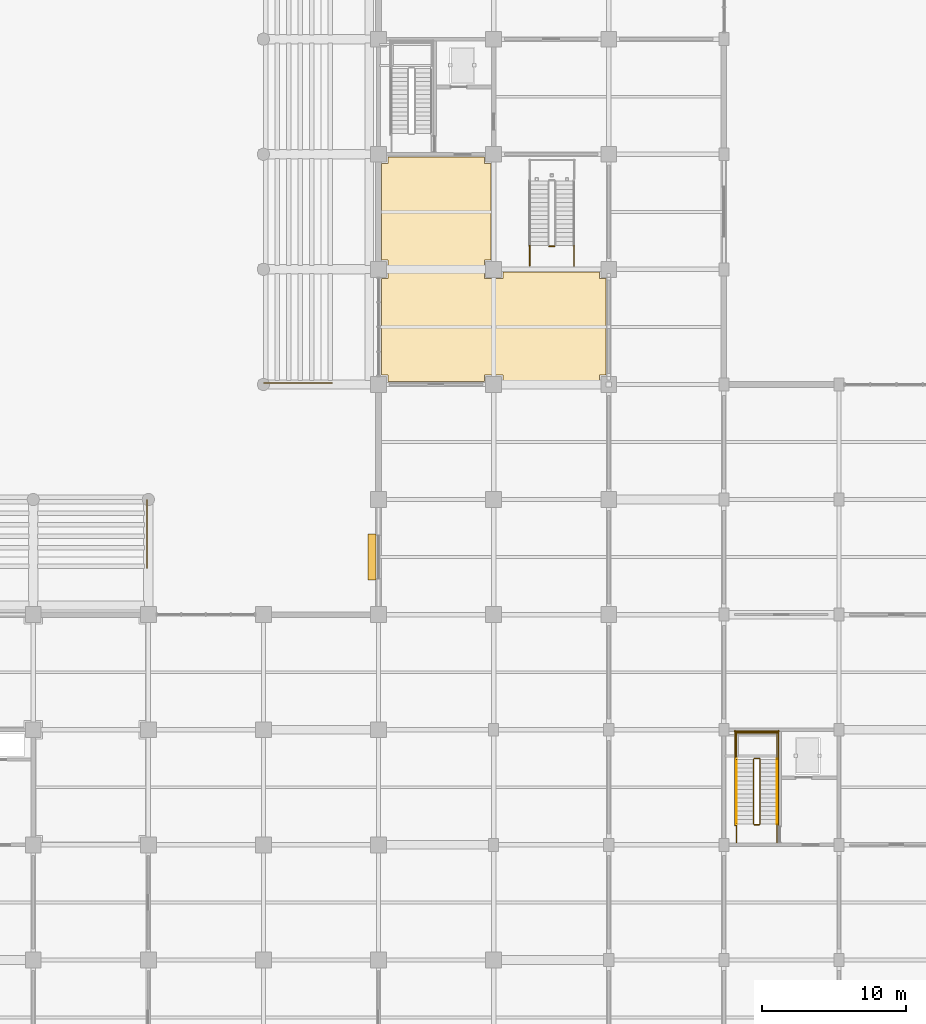
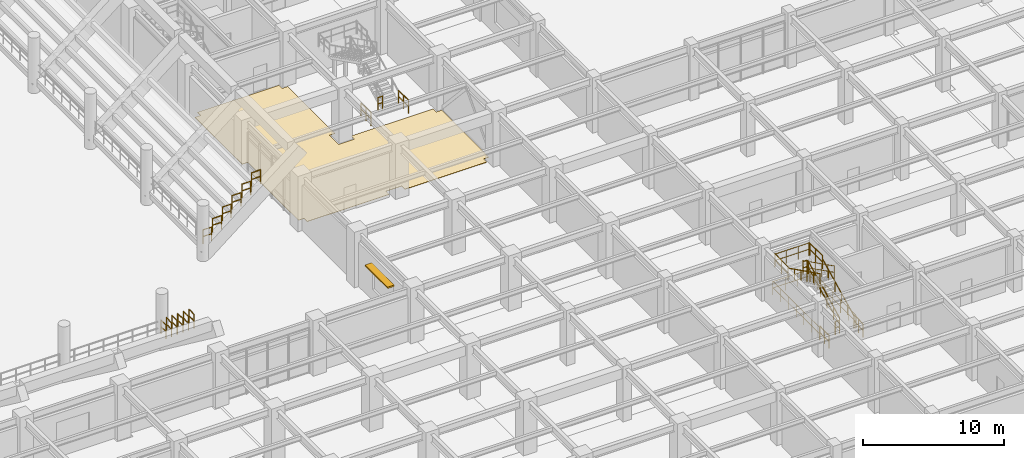
# One storey, part 112 of 125: 29 railings, 1 covering, 1 shading device.
"""IFC4 building model written with IfcOpenShell, lengths in metres."""

from ifc_helpers import new_model, si_unit, direction, frame, origin, origin_2d, place, context, subcontext, project, spatial, polyline, rectangle, circle, outline, extrude, material, layer, layer_set, type_object, element, save


model = new_model("IFC4")

# Units and contexts
model_context = context("Model", 3, precision=1e-05, world=origin(), true_north=direction((0.0, 1.0)))
body_context = subcontext(model_context, "Body", "Model", "MODEL_VIEW")
ifc_project = project(units=[si_unit("LENGTHUNIT", "METRE"), si_unit("AREAUNIT", "SQUARE_METRE"), si_unit("VOLUMEUNIT", "CUBIC_METRE"), si_unit("PLANEANGLEUNIT", "RADIAN"), si_unit("MASSUNIT", "GRAM", prefix="KILO")], contexts=[model_context])

# Site, building, storey
site_placement = place(None, origin())
site = spatial("IfcSite", under=ifc_project, at=site_placement, CompositionType="ELEMENT")
building_placement = place(site_placement, origin())
building = spatial("IfcBuilding", under=site, at=building_placement, Name="Haebicheon Civic Stadium", CompositionType="ELEMENT")
storey_placement = place(building_placement, origin())
storey = spatial("IfcBuildingStorey", under=building, at=storey_placement, Name="L01", CompositionType="ELEMENT", Elevation=0.0)

# Covering
ifc_material_1 = material(Name="Quartz epoxy resin mortar", Category="concrete")
ifc_layer_1 = layer(ifc_material_1, 0.030029296875, Name="Quartz epoxy resin mortar")
ifc_layer_set_1 = layer_set([ifc_layer_1], Name="Quartz epoxy resin mortar")
covering_type = type_object("IfcCoveringType", Name="COV-FLR-EPX", PredefinedType="FLOORING", material=ifc_layer_set_1)
covering_placement = place(storey_placement, origin())
element("IfcCovering", 1, at=covering_placement, inside=storey, type_object=covering_type, material=ifc_layer_set_1, Name="L01 Food and Beverage Kiosk non-slip floor finish", PredefinedType="FLOORING", context=body_context, shape_type="SweptSolid", body=[
    extrude(outline(polyline([(144.199951171875, 55.35009765625), (144.64990234375, 55.35009765625), (144.64990234375, 56.64990234375), (144.199951171875, 56.64990234375), (144.199951171875, 63.35009765625), (144.64990234375, 63.35009765625), (144.64990234375, 63.800048828125), (151.35009765625, 63.800048828125), (151.35009765625, 63.35009765625), (151.800048828125, 63.35009765625), (151.800048828125, 56.64990234375), (151.35009765625, 56.64990234375), (151.35009765625, 55.35009765625), (152.64990234375, 55.35009765625), (152.64990234375, 55.800048828125), (159.35009765625, 55.800048828125), (159.35009765625, 55.35009765625), (159.800048828125, 55.35009765625), (159.800048828125, 48.64990234375), (159.35009765625, 48.64990234375), (159.35009765625, 48.199951171875), (152.64990234375, 48.199951171875), (152.64990234375, 48.64990234375), (151.35009765625, 48.64990234375), (151.35009765625, 48.199951171875), (144.64990234375, 48.199951171875), (144.64990234375, 48.64990234375), (144.199951171875, 48.64990234375), (144.199951171875, 55.35009765625)])), origin(), (0.0, 0.0, 1.0), 0.030029296875),
])

# Railings
ifc_material_2 = material(Name="Stainless steel 316 and laminated glass", Category="steel")
railing_type_1 = type_object("IfcRailingType", Name="RL-BAL-1200", PredefinedType="BALUSTRADE", material=ifc_material_2)
for number, where, name in (
    (2, (136.0400390625, 48.10009765625, 1.199951171875), "TIER-E-L end-aisle side guard S.1"),
    (3, (136.840087890625, 48.10009765625, 1.910888671875), "TIER-E-L end-aisle side guard S.2"),
):
    element("IfcRailing", number, at=place(storey_placement, frame(where)), inside=storey, type_object=railing_type_1, material=ifc_material_2, Name=name, PredefinedType="BALUSTRADE", context=body_context, shape_type="SweptSolid", body=[
        extrude(circle(Radius=0.02392578125, at=origin_2d()), frame((0.0, 0.0, 1.17578125), z_axis=(1.0, 0.0, 0.0), x_axis=(0.0, 1.0, 0.0)), (0.0, 0.0, 1.0), 0.719970703125),
        extrude(circle(Radius=0.02392578125, at=origin_2d()), frame((0.0, 0.0, 0.60009765625), z_axis=(1.0, 0.0, 0.0), x_axis=(0.0, 1.0, 0.0)), (0.0, 0.0, 1.0), 0.719970703125),
        extrude(circle(Radius=0.02099609375, at=origin_2d()), origin(), (0.0, 0.0, 1.0), 1.15185546875),
        extrude(circle(Radius=0.02099609375, at=origin_2d()), frame((0.719970703125, 0.0, 0.0)), (0.0, 0.0, 1.0), 1.15185546875),
    ])
railing_1_placement = place(storey_placement, frame((137.639892578125, 48.10009765625, 2.6220703125)))
element("IfcRailing", 4, at=railing_1_placement, inside=storey, type_object=railing_type_1, material=ifc_material_2, Name="TIER-E-L end-aisle side guard S.3", PredefinedType="BALUSTRADE", context=body_context, shape_type="SweptSolid", body=[
    extrude(circle(Radius=0.02392578125, at=origin_2d()), frame((0.0, 0.0, 1.17578125), z_axis=(1.0, 0.0, 0.0), x_axis=(0.0, 1.0, 0.0)), (0.0, 0.0, 1.0), 0.72021484375),
    extrude(circle(Radius=0.02392578125, at=origin_2d()), frame((0.0, 0.0, 0.60009765625), z_axis=(1.0, 0.0, 0.0), x_axis=(0.0, 1.0, 0.0)), (0.0, 0.0, 1.0), 0.72021484375),
    extrude(circle(Radius=0.02099609375, at=origin_2d()), origin(), (0.0, 0.0, 1.0), 1.15185546875),
    extrude(circle(Radius=0.02099609375, at=origin_2d()), frame((0.72021484375, 0.0, 0.0)), (0.0, 0.0, 1.0), 1.15185546875),
])
for number, where, name in (
    (5, (138.43994140625, 48.10009765625, 3.3330078125), "TIER-E-L end-aisle side guard S.4"),
    (6, (139.239990234375, 48.10009765625, 4.0439453125), "TIER-E-L end-aisle side guard S.5"),
    (7, (140.0400390625, 48.10009765625, 4.756103515625), "TIER-E-L end-aisle side guard S.6"),
):
    element("IfcRailing", number, at=place(storey_placement, frame(where)), inside=storey, type_object=railing_type_1, material=ifc_material_2, Name=name, PredefinedType="BALUSTRADE", context=body_context, shape_type="SweptSolid", body=[
        extrude(circle(Radius=0.02392578125, at=origin_2d()), frame((0.0, 0.0, 1.17578125), z_axis=(1.0, 0.0, 0.0), x_axis=(0.0, 1.0, 0.0)), (0.0, 0.0, 1.0), 0.719970703125),
        extrude(circle(Radius=0.02392578125, at=origin_2d()), frame((0.0, 0.0, 0.60009765625), z_axis=(1.0, 0.0, 0.0), x_axis=(0.0, 1.0, 0.0)), (0.0, 0.0, 1.0), 0.719970703125),
        extrude(circle(Radius=0.02099609375, at=origin_2d()), origin(), (0.0, 0.0, 1.0), 1.15185546875),
        extrude(circle(Radius=0.02099609375, at=origin_2d()), frame((0.719970703125, 0.0, 0.0)), (0.0, 0.0, 1.0), 1.15185546875),
    ])
for number, where, name in (
    (8, (127.89990234375, 39.239990234375, 1.199951171875), "TIER-S-L end-aisle side guard E.1"),
    (9, (127.89990234375, 38.43994140625, 1.866943359375), "TIER-S-L end-aisle side guard E.2"),
):
    element("IfcRailing", number, at=place(storey_placement, frame(where)), inside=storey, type_object=railing_type_1, material=ifc_material_2, Name=name, PredefinedType="BALUSTRADE", context=body_context, shape_type="SweptSolid", body=[
        extrude(circle(Radius=0.02392578125, at=origin_2d()), frame((0.0, 0.0, 1.17578125), z_axis=(0.0, 1.0, 0.0), x_axis=(-1.0, 0.0, 0.0)), (0.0, 0.0, 1.0), 0.719970703125),
        extrude(circle(Radius=0.02392578125, at=origin_2d()), frame((0.0, 0.0, 0.60009765625), z_axis=(0.0, 1.0, 0.0), x_axis=(-1.0, 0.0, 0.0)), (0.0, 0.0, 1.0), 0.719970703125),
        extrude(circle(Radius=0.02099609375, at=origin_2d()), origin(), (0.0, 0.0, 1.0), 1.15185546875),
        extrude(circle(Radius=0.02099609375, at=origin_2d()), frame((0.0, 0.719970703125, 0.0)), (0.0, 0.0, 1.0), 1.15185546875),
    ])
railing_2_placement = place(storey_placement, frame((127.89990234375, 37.639892578125, 2.532958984375)))
element("IfcRailing", 10, at=railing_2_placement, inside=storey, type_object=railing_type_1, material=ifc_material_2, Name="TIER-S-L end-aisle side guard E.3", PredefinedType="BALUSTRADE", context=body_context, shape_type="SweptSolid", body=[
    extrude(circle(Radius=0.02392578125, at=origin_2d()), frame((0.0, 0.0, 1.17578125), z_axis=(0.0, 1.0, 0.0), x_axis=(-1.0, 0.0, 0.0)), (0.0, 0.0, 1.0), 0.72021484375),
    extrude(circle(Radius=0.02392578125, at=origin_2d()), frame((0.0, 0.0, 0.60009765625), z_axis=(0.0, 1.0, 0.0), x_axis=(-1.0, 0.0, 0.0)), (0.0, 0.0, 1.0), 0.72021484375),
    extrude(circle(Radius=0.02099609375, at=origin_2d()), origin(), (0.0, 0.0, 1.0), 1.15185546875),
    extrude(circle(Radius=0.02099609375, at=origin_2d()), frame((0.0, 0.72021484375, 0.0)), (0.0, 0.0, 1.0), 1.15185546875),
])
for number, where, name in (
    (11, (127.89990234375, 36.840087890625, 3.199951171875), "TIER-S-L end-aisle side guard E.4"),
    (12, (127.89990234375, 36.0400390625, 3.866943359375), "TIER-S-L end-aisle side guard E.5"),
    (13, (127.89990234375, 35.239990234375, 4.532958984375), "TIER-S-L end-aisle side guard E.6"),
):
    element("IfcRailing", number, at=place(storey_placement, frame(where)), inside=storey, type_object=railing_type_1, material=ifc_material_2, Name=name, PredefinedType="BALUSTRADE", context=body_context, shape_type="SweptSolid", body=[
        extrude(circle(Radius=0.02392578125, at=origin_2d()), frame((0.0, 0.0, 1.17578125), z_axis=(0.0, 1.0, 0.0), x_axis=(-1.0, 0.0, 0.0)), (0.0, 0.0, 1.0), 0.719970703125),
        extrude(circle(Radius=0.02392578125, at=origin_2d()), frame((0.0, 0.0, 0.60009765625), z_axis=(0.0, 1.0, 0.0), x_axis=(-1.0, 0.0, 0.0)), (0.0, 0.0, 1.0), 0.719970703125),
        extrude(circle(Radius=0.02099609375, at=origin_2d()), origin(), (0.0, 0.0, 1.0), 1.15185546875),
        extrude(circle(Radius=0.02099609375, at=origin_2d()), frame((0.0, 0.719970703125, 0.0)), (0.0, 0.0, 1.0), 1.15185546875),
    ])
ifc_material_3 = material(Name="Galvanised painted steel SM355", Category="steel")
railing_type_2 = type_object("IfcRailingType", Name="RL-GRD-1150", PredefinedType="GUARDRAIL", material=ifc_material_3)
railing_3_placement = place(storey_placement, frame((170.510009765625, 17.449951171875, 0.14990234375)))
element("IfcRailing", 14, at=railing_3_placement, inside=storey, type_object=railing_type_2, material=ifc_material_3, Name="L01 ST-14 stair guard 1", PredefinedType="GUARDRAIL", context=body_context, shape_type="SweptSolid", body=[
    extrude(circle(Radius=0.02392578125, at=origin_2d()), frame((0.0, 0.0, 1.1259765625), z_axis=(0.0, 0.894427191, 0.4472135955), x_axis=(-1.0, 0.0, 0.0)), (0.0, 0.0, 1.0), 5.03125),
    extrude(circle(Radius=0.02392578125, at=origin_2d()), frame((0.0, 0.0, 0.574951171875), z_axis=(0.0, 0.894427191, 0.4472135955), x_axis=(-1.0, 0.0, 0.0)), (0.0, 0.0, 1.0), 5.03125),
    extrude(circle(Radius=0.02099609375, at=origin_2d()), origin(), (0.0, 0.0, 1.0), 1.101806640625),
    extrude(circle(Radius=0.02099609375, at=origin_2d()), frame((0.0, 0.89990234375, 0.449951171875)), (0.0, 0.0, 1.0), 1.101806640625),
    extrude(circle(Radius=0.02099609375, at=origin_2d()), frame((0.0, 1.800048828125, 0.89990234375)), (0.0, 0.0, 1.0), 1.101806640625),
    extrude(circle(Radius=0.02099609375, at=origin_2d()), frame((0.0, 2.699951171875, 1.35009765625)), (0.0, 0.0, 1.0), 1.101806640625),
    extrude(circle(Radius=0.02099609375, at=origin_2d()), frame((0.0, 3.60009765625, 1.800048828125)), (0.0, 0.0, 1.0), 1.101806640625),
    extrude(circle(Radius=0.02099609375, at=origin_2d()), frame((0.0, 4.5, 2.25)), (0.0, 0.0, 1.0), 1.101806640625),
])
railing_4_placement = place(storey_placement, frame((170.4599609375, 22.0, 2.39990234375)))
element("IfcRailing", 15, at=railing_4_placement, inside=storey, type_object=railing_type_2, material=ifc_material_3, Name="L01 ST-14 stair guard 2", PredefinedType="GUARDRAIL", context=body_context, shape_type="SweptSolid", body=[
    extrude(circle(Radius=0.02392578125, at=origin_2d()), frame((0.0, 0.0, 1.1259765625), z_axis=(-1.0, 0.0, 0.0), x_axis=(0.0, -1.0, 0.0)), (0.0, 0.0, 1.0), 0.33984375),
    extrude(circle(Radius=0.02392578125, at=origin_2d()), frame((0.0, 0.0, 0.574951171875), z_axis=(-1.0, 0.0, 0.0), x_axis=(0.0, -1.0, 0.0)), (0.0, 0.0, 1.0), 0.33984375),
    extrude(circle(Radius=0.02099609375, at=origin_2d()), origin(), (0.0, 0.0, 1.0), 1.101806640625),
    extrude(circle(Radius=0.02099609375, at=origin_2d()), frame((-0.33984375, 0.0, 0.0)), (0.0, 0.0, 1.0), 1.101806640625),
])
for number, where, name in (
    (16, (171.68994140625, 21.949951171875, 2.39990234375), "L01 ST-14 stair guard 3"),
    (17, (168.889892578125, 21.949951171875, 2.39990234375), "L01 ST-14 stair guard 4"),
):
    element("IfcRailing", number, at=place(storey_placement, frame(where)), inside=storey, type_object=railing_type_2, material=ifc_material_3, Name=name, PredefinedType="GUARDRAIL", context=body_context, shape_type="SweptSolid", body=[
        extrude(circle(Radius=0.02392578125, at=origin_2d()), frame((0.0, 0.0, 1.1259765625), z_axis=(0.0, 1.0, 0.0), x_axis=(-1.0, 0.0, 0.0)), (0.0, 0.0, 1.0), 1.89013671875),
        extrude(circle(Radius=0.02392578125, at=origin_2d()), frame((0.0, 0.0, 0.574951171875), z_axis=(0.0, 1.0, 0.0), x_axis=(-1.0, 0.0, 0.0)), (0.0, 0.0, 1.0), 1.89013671875),
        extrude(circle(Radius=0.02099609375, at=origin_2d()), origin(), (0.0, 0.0, 1.0), 1.101806640625),
        extrude(circle(Radius=0.02099609375, at=origin_2d()), frame((0.0, 0.945068359375, 0.0)), (0.0, 0.0, 1.0), 1.101806640625),
        extrude(circle(Radius=0.02099609375, at=origin_2d()), frame((0.0, 1.89013671875, 0.0)), (0.0, 0.0, 1.0), 1.101806640625),
    ])
railing_5_placement = place(storey_placement, frame((171.739990234375, 23.7900390625, 2.39990234375)))
element("IfcRailing", 18, at=railing_5_placement, inside=storey, type_object=railing_type_2, material=ifc_material_3, Name="L01 ST-14 stair guard 5", PredefinedType="GUARDRAIL", context=body_context, shape_type="SweptSolid", body=[
    extrude(circle(Radius=0.02392578125, at=origin_2d()), frame((0.0, 0.0, 1.1259765625), z_axis=(-1.0, 0.0, 0.0), x_axis=(0.0, -1.0, 0.0)), (0.0, 0.0, 1.0), 2.89990234375),
    extrude(circle(Radius=0.02392578125, at=origin_2d()), frame((0.0, 0.0, 0.574951171875), z_axis=(-1.0, 0.0, 0.0), x_axis=(0.0, -1.0, 0.0)), (0.0, 0.0, 1.0), 2.89990234375),
    extrude(circle(Radius=0.02099609375, at=origin_2d()), origin(), (0.0, 0.0, 1.0), 1.101806640625),
    extrude(circle(Radius=0.02099609375, at=origin_2d()), frame((-0.966552734375, 0.0, 0.0)), (0.0, 0.0, 1.0), 1.101806640625),
    extrude(circle(Radius=0.02099609375, at=origin_2d()), frame((-1.933349609375, 0.0, 0.0)), (0.0, 0.0, 1.0), 1.101806640625),
    extrude(circle(Radius=0.02099609375, at=origin_2d()), frame((-2.89990234375, 0.0, 0.0)), (0.0, 0.0, 1.0), 1.101806640625),
])
railing_6_placement = place(storey_placement, frame((170.070068359375, 21.949951171875, 2.550048828125)))
element("IfcRailing", 19, at=railing_6_placement, inside=storey, type_object=railing_type_2, material=ifc_material_3, Name="L01 ST-14 stair guard 6", PredefinedType="GUARDRAIL", context=body_context, shape_type="SweptSolid", body=[
    extrude(circle(Radius=0.02392578125, at=origin_2d()), frame((0.0, 0.0, 1.1259765625), z_axis=(0.0, -0.894427191, 0.4472135955), x_axis=(1.0, 0.0, 0.0)), (0.0, 0.0, 1.0), 5.03125),
    extrude(circle(Radius=0.02392578125, at=origin_2d()), frame((0.0, 0.0, 0.574951171875), z_axis=(0.0, -0.894427191, 0.4472135955), x_axis=(1.0, 0.0, 0.0)), (0.0, 0.0, 1.0), 5.03125),
    extrude(circle(Radius=0.02099609375, at=origin_2d()), origin(), (0.0, 0.0, 1.0), 1.101806640625),
    extrude(circle(Radius=0.02099609375, at=origin_2d()), frame((0.0, -0.89990234375, 0.449951171875)), (0.0, 0.0, 1.0), 1.101806640625),
    extrude(circle(Radius=0.02099609375, at=origin_2d()), frame((0.0, -1.800048828125, 0.89990234375)), (0.0, 0.0, 1.0), 1.101806640625),
    extrude(circle(Radius=0.02099609375, at=origin_2d()), frame((0.0, -2.699951171875, 1.35009765625)), (0.0, 0.0, 1.0), 1.101806640625),
    extrude(circle(Radius=0.02099609375, at=origin_2d()), frame((0.0, -3.60009765625, 1.800048828125)), (0.0, 0.0, 1.0), 1.101806640625),
    extrude(circle(Radius=0.02099609375, at=origin_2d()), frame((0.0, -4.5, 2.25)), (0.0, 0.0, 1.0), 1.101806640625),
])
railing_7_placement = place(storey_placement, frame((170.4599609375, 17.39990234375, 0.0)))
element("IfcRailing", 20, at=railing_7_placement, inside=storey, type_object=railing_type_2, material=ifc_material_3, Name="L01 ST-14 stair guard 7", PredefinedType="GUARDRAIL", context=body_context, shape_type="SweptSolid", body=[
    extrude(circle(Radius=0.02392578125, at=origin_2d()), frame((0.0, 0.0, 1.1259765625), z_axis=(-1.0, 0.0, 0.0), x_axis=(0.0, -1.0, 0.0)), (0.0, 0.0, 1.0), 0.33984375),
    extrude(circle(Radius=0.02392578125, at=origin_2d()), frame((0.0, 0.0, 0.574951171875), z_axis=(-1.0, 0.0, 0.0), x_axis=(0.0, -1.0, 0.0)), (0.0, 0.0, 1.0), 0.33984375),
    extrude(circle(Radius=0.02099609375, at=origin_2d()), origin(), (0.0, 0.0, 1.0), 1.101806640625),
    extrude(circle(Radius=0.02099609375, at=origin_2d()), frame((-0.33984375, 0.0, 0.0)), (0.0, 0.0, 1.0), 1.101806640625),
])
for number, where, name in (
    (21, (171.68994140625, 16.159912109375, 0.0), "L01 ST-14 stair guard 8"),
    (22, (168.889892578125, 16.159912109375, 0.0), "L01 ST-14 stair guard 9"),
):
    element("IfcRailing", number, at=place(storey_placement, frame(where)), inside=storey, type_object=railing_type_2, material=ifc_material_3, Name=name, PredefinedType="GUARDRAIL", context=body_context, shape_type="SweptSolid", body=[
        extrude(circle(Radius=0.02392578125, at=origin_2d()), frame((0.0, 0.0, 1.1259765625), z_axis=(0.0, 1.0, 0.0), x_axis=(-1.0, 0.0, 0.0)), (0.0, 0.0, 1.0), 1.2900390625),
        extrude(circle(Radius=0.02392578125, at=origin_2d()), frame((0.0, 0.0, 0.574951171875), z_axis=(0.0, 1.0, 0.0), x_axis=(-1.0, 0.0, 0.0)), (0.0, 0.0, 1.0), 1.2900390625),
        extrude(circle(Radius=0.02099609375, at=origin_2d()), origin(), (0.0, 0.0, 1.0), 1.101806640625),
        extrude(circle(Radius=0.02099609375, at=origin_2d()), frame((0.0, 0.64501953125, 0.0)), (0.0, 0.0, 1.0), 1.101806640625),
        extrude(circle(Radius=0.02099609375, at=origin_2d()), frame((0.0, 1.2900390625, 0.0)), (0.0, 0.0, 1.0), 1.101806640625),
    ])
for number, where, name in (
    (23, (171.7900390625, 17.35009765625, 0.0), "L01 ST-14 stair guard 10"),
    (24, (168.7900390625, 17.35009765625, 0.0), "L01 ST-14 stair guard 11"),
):
    element("IfcRailing", number, at=place(storey_placement, frame(where)), inside=storey, type_object=railing_type_2, material=ifc_material_3, Name=name, PredefinedType="GUARDRAIL", context=body_context, shape_type="SweptSolid", body=[
        extrude(circle(Radius=0.02392578125, at=origin_2d()), frame((0.0, 0.0, 1.1259765625), z_axis=(0.0, 1.0, 0.0), x_axis=(-1.0, 0.0, 0.0)), (0.0, 0.0, 1.0), 6.58984375),
        extrude(circle(Radius=0.02392578125, at=origin_2d()), frame((0.0, 0.0, 0.574951171875), z_axis=(0.0, 1.0, 0.0), x_axis=(-1.0, 0.0, 0.0)), (0.0, 0.0, 1.0), 6.58984375),
        extrude(circle(Radius=0.02099609375, at=origin_2d()), origin(), (0.0, 0.0, 1.0), 1.101806640625),
        extrude(circle(Radius=0.02099609375, at=origin_2d()), frame((0.0, 1.098388671875, 0.0)), (0.0, 0.0, 1.0), 1.101806640625),
        extrude(circle(Radius=0.02099609375, at=origin_2d()), frame((0.0, 2.196533203125, 0.0)), (0.0, 0.0, 1.0), 1.101806640625),
        extrude(circle(Radius=0.02099609375, at=origin_2d()), frame((0.0, 3.294921875, 0.0)), (0.0, 0.0, 1.0), 1.101806640625),
        extrude(circle(Radius=0.02099609375, at=origin_2d()), frame((0.0, 4.393310546875, 0.0)), (0.0, 0.0, 1.0), 1.101806640625),
        extrude(circle(Radius=0.02099609375, at=origin_2d()), frame((0.0, 5.491455078125, 0.0)), (0.0, 0.0, 1.0), 1.101806640625),
        extrude(circle(Radius=0.02099609375, at=origin_2d()), frame((0.0, 6.58984375, 0.0)), (0.0, 0.0, 1.0), 1.101806640625),
    ])
railing_8_placement = place(storey_placement, frame((171.840087890625, 23.889892578125, 0.0)))
element("IfcRailing", 25, at=railing_8_placement, inside=storey, type_object=railing_type_2, material=ifc_material_3, Name="L01 ST-14 stair guard 12", PredefinedType="GUARDRAIL", context=body_context, shape_type="SweptSolid", body=[
    extrude(circle(Radius=0.02392578125, at=origin_2d()), frame((0.0, 0.0, 1.1259765625), z_axis=(-1.0, 0.0, 0.0), x_axis=(0.0, -1.0, 0.0)), (0.0, 0.0, 1.0), 3.10009765625),
    extrude(circle(Radius=0.02392578125, at=origin_2d()), frame((0.0, 0.0, 0.574951171875), z_axis=(-1.0, 0.0, 0.0), x_axis=(0.0, -1.0, 0.0)), (0.0, 0.0, 1.0), 3.10009765625),
    extrude(circle(Radius=0.02099609375, at=origin_2d()), origin(), (0.0, 0.0, 1.0), 1.101806640625),
    extrude(circle(Radius=0.02099609375, at=origin_2d()), frame((-1.033447265625, 0.0, 0.0)), (0.0, 0.0, 1.0), 1.101806640625),
    extrude(circle(Radius=0.02099609375, at=origin_2d()), frame((-2.066650390625, 0.0, 0.0)), (0.0, 0.0, 1.0), 1.101806640625),
    extrude(circle(Radius=0.02099609375, at=origin_2d()), frame((-3.10009765625, 0.0, 0.0)), (0.0, 0.0, 1.0), 1.101806640625),
])
railing_9_placement = place(storey_placement, frame((156.239990234375, 57.60009765625, 0.0)))
element("IfcRailing", 26, at=railing_9_placement, inside=storey, type_object=railing_type_2, material=ifc_material_3, Name="L01 VM-06 stair guard 7", PredefinedType="GUARDRAIL", context=body_context, shape_type="SweptSolid", body=[
    extrude(circle(Radius=0.02392578125, at=origin_2d()), frame((0.0, 0.0, 1.1259765625), z_axis=(-1.0, 0.0, 0.0), x_axis=(0.0, -1.0, 0.0)), (0.0, 0.0, 1.0), 0.3798828125),
    extrude(circle(Radius=0.02392578125, at=origin_2d()), frame((0.0, 0.0, 0.574951171875), z_axis=(-1.0, 0.0, 0.0), x_axis=(0.0, -1.0, 0.0)), (0.0, 0.0, 1.0), 0.3798828125),
    extrude(circle(Radius=0.02099609375, at=origin_2d()), origin(), (0.0, 0.0, 1.0), 1.101806640625),
    extrude(circle(Radius=0.02099609375, at=origin_2d()), frame((-0.3798828125, 0.0, 0.0)), (0.0, 0.0, 1.0), 1.101806640625),
])
for number, where, name in (
    (27, (157.590087890625, 56.25, 0.0), "L01 VM-06 stair guard 8"),
    (28, (154.510009765625, 56.25, 0.0), "L01 VM-06 stair guard 9"),
):
    element("IfcRailing", number, at=place(storey_placement, frame(where)), inside=storey, type_object=railing_type_2, material=ifc_material_3, Name=name, PredefinedType="GUARDRAIL", context=body_context, shape_type="SweptSolid", body=[
        extrude(circle(Radius=0.02392578125, at=origin_2d()), frame((0.0, 0.0, 1.1259765625), z_axis=(0.0, 1.0, 0.0), x_axis=(-1.0, 0.0, 0.0)), (0.0, 0.0, 1.0), 1.39990234375),
        extrude(circle(Radius=0.02392578125, at=origin_2d()), frame((0.0, 0.0, 0.574951171875), z_axis=(0.0, 1.0, 0.0), x_axis=(-1.0, 0.0, 0.0)), (0.0, 0.0, 1.0), 1.39990234375),
        extrude(circle(Radius=0.02099609375, at=origin_2d()), origin(), (0.0, 0.0, 1.0), 1.101806640625),
        extrude(circle(Radius=0.02099609375, at=origin_2d()), frame((0.0, 0.699951171875, 0.0)), (0.0, 0.0, 1.0), 1.101806640625),
        extrude(circle(Radius=0.02099609375, at=origin_2d()), frame((0.0, 1.39990234375, 0.0)), (0.0, 0.0, 1.0), 1.101806640625),
    ])
ifc_material_4 = material(Name="Stainless steel 316", Category="steel")
railing_type_3 = type_object("IfcRailingType", Name="RL-HND-900", PredefinedType="HANDRAIL", material=ifc_material_4)
railing_10_placement = place(storey_placement, frame((171.68994140625, 17.449951171875, 0.14990234375)))
element("IfcRailing", 29, at=railing_10_placement, inside=storey, type_object=railing_type_3, material=ifc_material_4, Name="L01 ST-14 stair handrail 1", PredefinedType="HANDRAIL", context=body_context, shape_type="SweptSolid", body=[
    extrude(circle(Radius=0.02392578125, at=origin_2d()), frame((0.0, 0.0, 0.8759765625), z_axis=(0.0, 0.894427191, 0.4472135955), x_axis=(-1.0, 0.0, 0.0)), (0.0, 0.0, 1.0), 5.03125),
    extrude(circle(Radius=0.02099609375, at=origin_2d()), origin(), (0.0, 0.0, 1.0), 0.851806640625),
    extrude(circle(Radius=0.02099609375, at=origin_2d()), frame((0.0, 0.89990234375, 0.449951171875)), (0.0, 0.0, 1.0), 0.851806640625),
    extrude(circle(Radius=0.02099609375, at=origin_2d()), frame((0.0, 1.800048828125, 0.89990234375)), (0.0, 0.0, 1.0), 0.851806640625),
    extrude(circle(Radius=0.02099609375, at=origin_2d()), frame((0.0, 2.699951171875, 1.35009765625)), (0.0, 0.0, 1.0), 0.851806640625),
    extrude(circle(Radius=0.02099609375, at=origin_2d()), frame((0.0, 3.60009765625, 1.800048828125)), (0.0, 0.0, 1.0), 0.851806640625),
    extrude(circle(Radius=0.02099609375, at=origin_2d()), frame((0.0, 4.5, 2.25)), (0.0, 0.0, 1.0), 0.851806640625),
])
railing_11_placement = place(storey_placement, frame((168.889892578125, 21.949951171875, 2.550048828125)))
element("IfcRailing", 30, at=railing_11_placement, inside=storey, type_object=railing_type_3, material=ifc_material_4, Name="L01 ST-14 stair handrail 2", PredefinedType="HANDRAIL", context=body_context, shape_type="SweptSolid", body=[
    extrude(circle(Radius=0.02392578125, at=origin_2d()), frame((0.0, 0.0, 0.8759765625), z_axis=(0.0, -0.894427191, 0.4472135955), x_axis=(1.0, 0.0, 0.0)), (0.0, 0.0, 1.0), 5.03125),
    extrude(circle(Radius=0.02099609375, at=origin_2d()), origin(), (0.0, 0.0, 1.0), 0.851806640625),
    extrude(circle(Radius=0.02099609375, at=origin_2d()), frame((0.0, -0.89990234375, 0.449951171875)), (0.0, 0.0, 1.0), 0.851806640625),
    extrude(circle(Radius=0.02099609375, at=origin_2d()), frame((0.0, -1.800048828125, 0.89990234375)), (0.0, 0.0, 1.0), 0.851806640625),
    extrude(circle(Radius=0.02099609375, at=origin_2d()), frame((0.0, -2.699951171875, 1.35009765625)), (0.0, 0.0, 1.0), 0.851806640625),
    extrude(circle(Radius=0.02099609375, at=origin_2d()), frame((0.0, -3.60009765625, 1.800048828125)), (0.0, 0.0, 1.0), 0.851806640625),
    extrude(circle(Radius=0.02099609375, at=origin_2d()), frame((0.0, -4.5, 2.25)), (0.0, 0.0, 1.0), 0.851806640625),
])

# Shading device
ifc_material_5 = material(Name="Anodised aluminium 6063-T6", Category="aluminium")
ifc_layer_2 = layer(ifc_material_5, 0.1201171875, Name="Anodised aluminium 6063-T6")
ifc_layer_set_2 = layer_set([ifc_layer_2], Name="Anodised aluminium 6063-T6")
shading_device_type = type_object("IfcShadingDeviceType", Name="SHD-ALU-LVR", PredefinedType="USERDEFINED", material=ifc_layer_set_2)
shading_device_placement = place(storey_placement, frame((143.544921875, 36.0, 3.06982421875), z_axis=(0.0, 0.0, 1.0), x_axis=(1.0, 0.0, 0.0)))
element("IfcShadingDevice", 31, at=shading_device_placement, inside=storey, type_object=shading_device_type, material=ifc_layer_set_2, Name="L01 window sunshade louvre hood 07", ObjectType="LOUVRE", PredefinedType="USERDEFINED", context=body_context, shape_type="SweptSolid", body=[
    extrude(rectangle(XDim=0.550048828125, YDim=3.199951171875, at=origin_2d()), origin(), (0.0, 0.0, 1.0), 0.1201171875),
])

save(model, "model.ifc")
